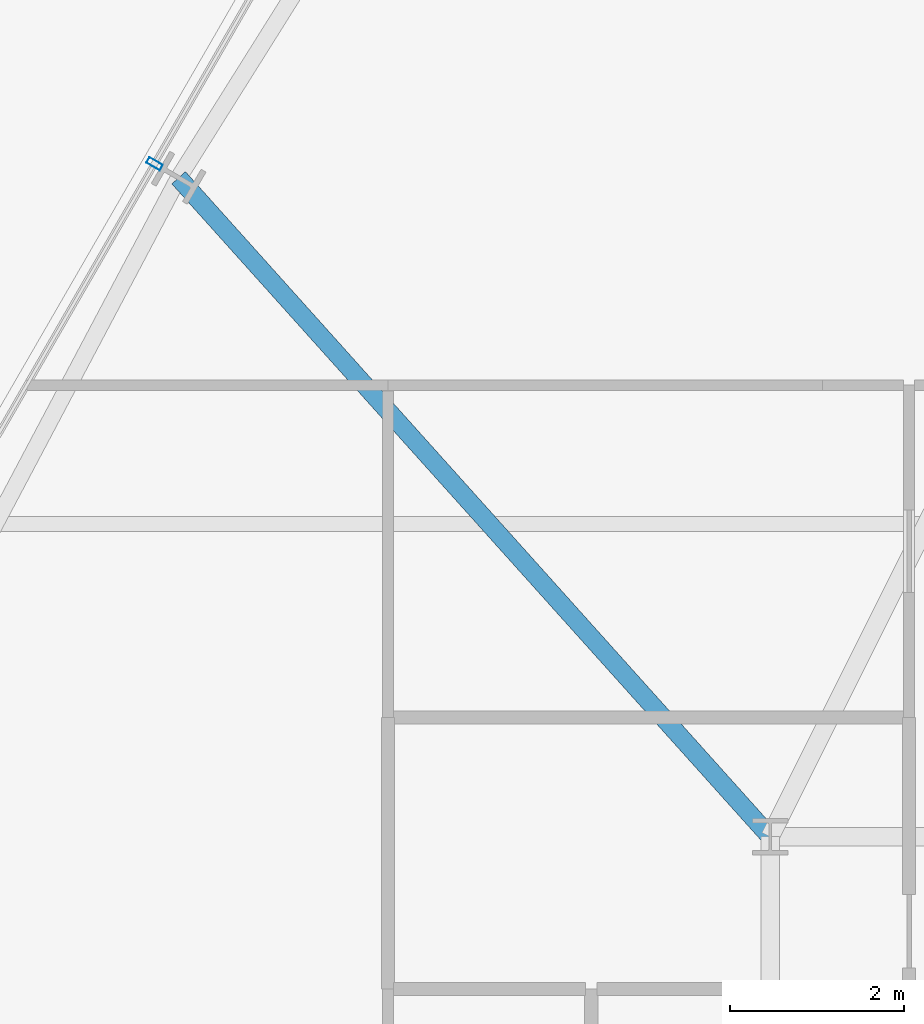
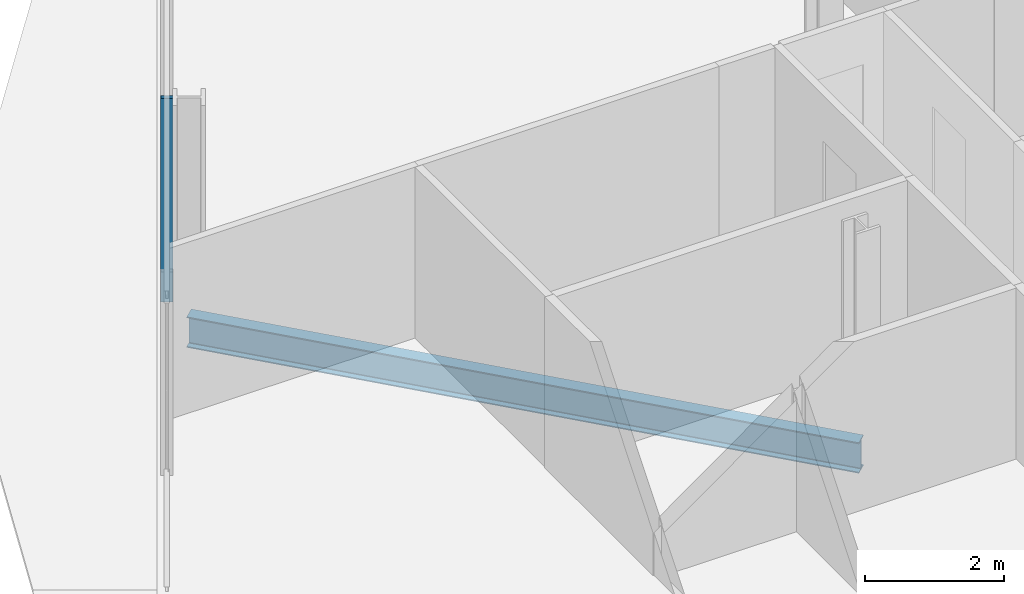
# One storey, part 12 of 36: 1 beam, 1 member, 1 element without a shape of its own.
"""IFC4 building model written with IfcOpenShell, lengths in metres."""

from ifc_helpers import new_model, si_unit, direction, frame, origin, origin_2d, place, context, subcontext, project, spatial, hollow_rectangle, i_section, extrude, material, layer, layer_set, material_profile, profile_set, type_object, element, aggregate, save


model = new_model("IFC4")

# Units and contexts
model_context = context("Model", 3, precision=1e-05, world=origin(), true_north=direction((0.0, 1.0)))
body_context = subcontext(model_context, "Body", "Model", "MODEL_VIEW")
ifc_project = project(units=[si_unit("LENGTHUNIT", "METRE"), si_unit("AREAUNIT", "SQUARE_METRE"), si_unit("VOLUMEUNIT", "CUBIC_METRE"), si_unit("PLANEANGLEUNIT", "RADIAN"), si_unit("MASSUNIT", "GRAM", prefix="KILO")], contexts=[model_context])

# Site, building, storey
site_placement = place(None, origin())
site = spatial("IfcSite", under=ifc_project, at=site_placement, CompositionType="ELEMENT")
building_placement = place(site_placement, origin())
building = spatial("IfcBuilding", under=site, at=building_placement, Name="Ndaravel Arena Tower", CompositionType="ELEMENT")
storey_placement = place(building_placement, frame((0.0, 0.0, 127.0)))
storey = spatial("IfcBuildingStorey", under=building, at=storey_placement, Name="L29", CompositionType="ELEMENT", Elevation=127.0)

# Beam
ifc_material_1 = material(Name="Steel S355", Category="steel")
ifc_material_profile_1 = material_profile(ifc_material_1, i_section(OverallWidth=0.210693359375, OverallDepth=0.53955078125, WebThickness=0.01171875, FlangeThickness=0.018798828125, FilletRadius=0.0126953125, at=origin_2d()), Name="UB 533x210x109")
ifc_profile_set_1 = profile_set([ifc_material_profile_1], Name="Steel S355")
beam_type = type_object("IfcBeamType", Name="BM-GIRD-UB533", PredefinedType="BEAM", material=ifc_profile_set_1)
beam_placement = place(storey_placement, frame((27.38818359375, 30.78857421875, -0.48974609375), z_axis=(0.667989304353, -0.744170873704, 0.0), x_axis=(0.744170873704, 0.667989304353, 0.0)))
element("IfcBeam", 1, at=beam_placement, inside=storey, type_object=beam_type, Name="L29 Radial Floor Girder FG-19", PredefinedType="BEAM", context=body_context, shape_type="SweptSolid", body=[
    extrude(i_section(OverallWidth=0.210693359375, OverallDepth=0.53955078125, WebThickness=0.01171875, FlangeThickness=0.018798828125, FilletRadius=0.0126953125, at=origin_2d()), origin(), (0.0, 0.0, 1.0), 10.197509765625),
])

# Curtain wall, member
ifc_material_2 = material(Name="Aluminium", Category="aluminium")
ifc_layer = layer(ifc_material_2, 0.179931640625)
ifc_layer_set = layer_set([ifc_layer], Name="Aluminium")
curtain_wall_type = type_object("IfcCurtainWallType", Name="CW-SYS-03", PredefinedType="NOTDEFINED", material=ifc_layer_set)
curtain_wall_placement = place(storey_placement, origin())
curtain_wall = element("IfcCurtainWall", 2, at=curtain_wall_placement, inside=storey, type_object=curtain_wall_type, Name="L29 Faceted Crystal Curtain Wall CW-L29-E05", PredefinedType="NOTDEFINED")
ifc_material_3 = material(Name="Aluminium", Category="aluminium")
ifc_material_profile_2 = material_profile(ifc_material_3, hollow_rectangle(XDim=0.074951171875, YDim=0.179931640625, WallThickness=0.00390625, at=origin_2d()), Name="CW MULLION 75x180x4")
ifc_profile_set_2 = profile_set([ifc_material_profile_2], Name="Aluminium")
member_type = type_object("IfcMemberType", Name="MEM-CW-MUL180", PredefinedType="MULLION", material=ifc_profile_set_2)
member_placement = place(storey_placement, frame((27.111083984375, 30.948486328125, 0.0), z_axis=(0.0, 0.0, 1.0), x_axis=(-0.5, -0.866025403784, 0.0)))
member = element("IfcMember", 3, at=member_placement, type_object=member_type, Name="CW-L29-E05 Mullion 04", PredefinedType="MULLION", context=body_context, shape_type="SweptSolid", body=[
    extrude(hollow_rectangle(XDim=0.074951171875, YDim=0.179931640625, WallThickness=0.00390625, at=origin_2d()), origin(), (0.0, 0.0, 1.0), 3.580078125),
])
aggregate(curtain_wall, [member])

save(model, "model.ifc")
